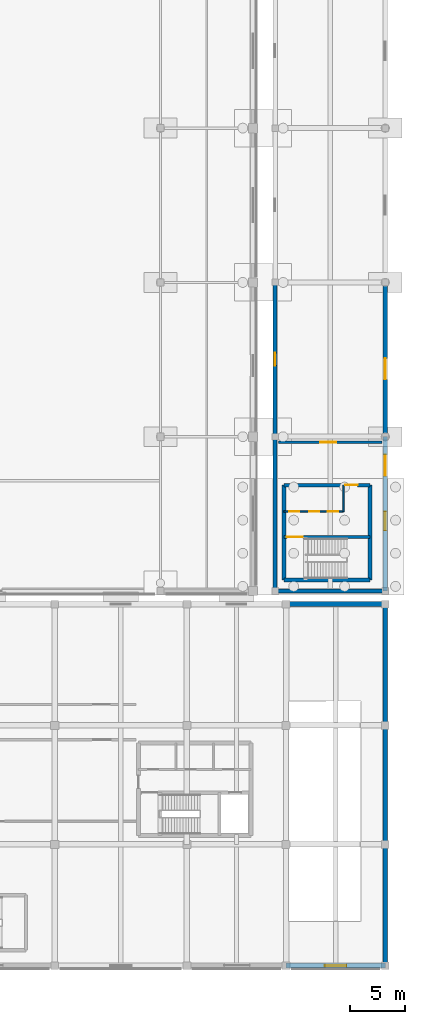
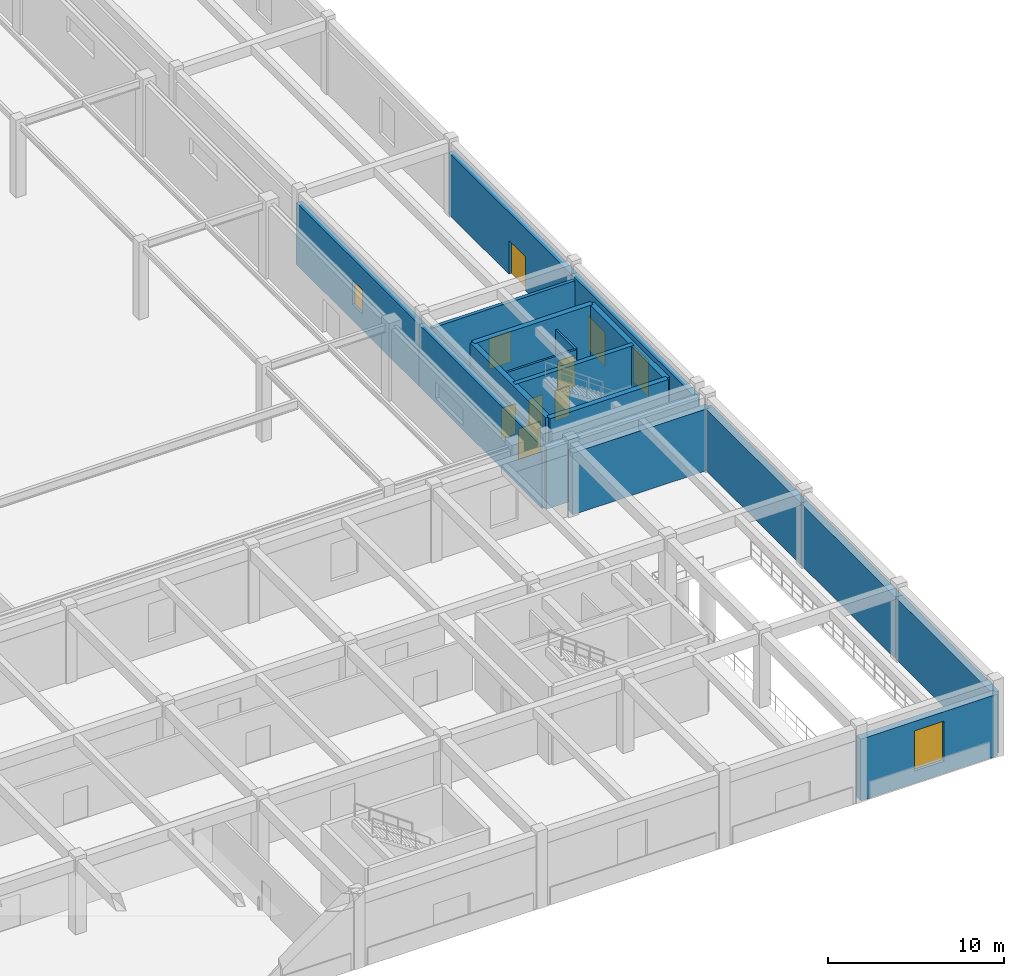
# One storey, part 33 of 53: 18 walls, 8 doors, 3 windows, 11 openings.
"""IFC4 building model written with IfcOpenShell, lengths in metres."""

from ifc_helpers import new_model, si_unit, derived_unit, direction, frame, frame_2d, origin, place, context, subcontext, project, spatial, rectangle, extrude, material, layer, layer_set, type_object, element, fill, save


model = new_model("IFC4")

# Units and contexts
model_context = context("Model", 3, precision=1e-05, world=origin(), true_north=direction((0.0, 1.0)))
body_context = subcontext(model_context, "Body", "Model", "MODEL_VIEW")
ifc_project = project(units=[si_unit("LENGTHUNIT", "METRE"), si_unit("AREAUNIT", "SQUARE_METRE"), si_unit("VOLUMEUNIT", "CUBIC_METRE"), si_unit("PLANEANGLEUNIT", "RADIAN"), si_unit("MASSUNIT", "GRAM", prefix="KILO"), derived_unit("THERMALTRANSMITTANCEUNIT", [(si_unit("POWERUNIT", "WATT"), 1), (si_unit("LENGTHUNIT", "METRE"), -2), (si_unit("THERMODYNAMICTEMPERATUREUNIT", "KELVIN"), -1)])], contexts=[model_context])

# Site, building, storey
site_placement = place(None, origin())
site = spatial("IfcSite", under=ifc_project, at=site_placement, CompositionType="ELEMENT")
building_placement = place(site_placement, origin())
building = spatial("IfcBuilding", under=site, at=building_placement, Name="Almenara Railside Exhibition Hall", CompositionType="ELEMENT")
storey_placement = place(building_placement, origin())
storey = spatial("IfcBuildingStorey", under=building, at=storey_placement, Name="L00", CompositionType="ELEMENT", Elevation=0.0)

# Wall
ifc_material_1 = material(Name="Concrete C35/45", Category="concrete")
ifc_layer_1 = layer(ifc_material_1, 0.35009765625, Name="Concrete C35/45")
ifc_layer_set_1 = layer_set([ifc_layer_1], Name="Concrete C35/45")
wall_type_1 = type_object("IfcWallType", Name="Core Coupled Shear Wall 350mm C35/45", PredefinedType="SHEAR", material=ifc_layer_set_1)
wall_1_placement = place(storey_placement, frame((194.800048828125, 35.0, 0.0), z_axis=(0.0, 0.0, 1.0), x_axis=(1.0, 0.0, 0.0)))
element("IfcWall", 1, at=wall_1_placement, inside=storey, type_object=wall_type_1, Name="Interior wall 0244", PredefinedType="SHEAR", context=body_context, shape_type="SweptSolid", body=[
    extrude(rectangle(XDim=7.800048828125, YDim=0.35009765625, at=frame_2d((3.89990234375, 0.0))), origin(), (0.0, 0.0, 1.0), 5.39990234375),
])

# Wall, opening, door
wall_2_placement = place(storey_placement, frame((202.60009765625, 43.60009765625, 0.0), z_axis=(0.0, 0.0, 1.0), x_axis=(-1.0, 0.0, 0.0)))
wall_2 = element("IfcWall", 2, at=wall_2_placement, inside=storey, type_object=wall_type_1, Name="Interior wall 0245", PredefinedType="SHEAR", context=body_context, shape_type="SweptSolid", body=[
    extrude(rectangle(XDim=7.800048828125, YDim=0.35009765625, at=frame_2d((3.89990234375, 0.0))), origin(), (0.0, 0.0, 1.0), 5.39990234375),
])
opening_1_placement = place(wall_2_placement, frame((1.10009765625, 0.0, 0.0)))
opening_1 = element("IfcOpeningElement", 3, at=opening_1_placement, cuts=wall_2, Name="Opening FD-115", PredefinedType="OPENING", context=body_context, shape_type="SweptSolid", body=[
    extrude(rectangle(XDim=1.14990234375, YDim=2.14990234375, at=frame_2d((0.574951171875, 1.074951171875))), frame((0.0, 0.18505859375, 0.0), z_axis=(0.0, -1.0, 0.0), x_axis=(1.0, 0.0, 0.0)), (0.0, 0.0, 1.0), 0.3701171875),
])
ifc_material_2 = material(Name="Fire-rated iroko timber door", Category="wood")
door_type_1 = type_object("IfcDoorType", Name="Core Lobby Fire Door 1150x2150 EI60", OperationType="NOTDEFINED", PredefinedType="DOOR", material=ifc_material_2)
door_1_placement = place(opening_1_placement, frame((1.14990234375, 0.0, 0.0), z_axis=(0.0, 0.0, 1.0), x_axis=(-1.0, 0.0, 0.0)))
door_1 = element("IfcDoor", 4, at=door_1_placement, inside=storey, type_object=door_type_1, Name="Interior door FD-115-163", OperationType="SINGLE_SWING_LEFT", OverallHeight=2.14990234375, OverallWidth=1.14990234375, PredefinedType="DOOR", context=body_context, shape_type="SweptSolid", body=[
    extrude(rectangle(XDim=1.14990234375, YDim=2.14990234375, at=frame_2d((0.574951171875, 1.074951171875))), frame((0.0, 0.02490234375, 0.0), z_axis=(0.0, -1.0, 0.0), x_axis=(1.0, 0.0, 0.0)), (0.0, 0.0, 1.0), 0.050048828125),
])
fill(opening_1, door_1)

# Walls
for number, where, z_axis, x_axis, name in (
    (5, (194.800048828125, 43.60009765625, 0.0), (0.0, 0.0, 1.0), (0.0, -1.0, 0.0), "Interior wall 0246"),
    (6, (202.60009765625, 35.0, 0.0), (0.0, 0.0, 1.0), (0.0, 1.0, 0.0), "Interior wall 0247"),
):
    element("IfcWall", number, at=place(storey_placement, frame(where, z_axis=z_axis, x_axis=x_axis)), inside=storey, type_object=wall_type_1, Name=name, PredefinedType="SHEAR", context=body_context, shape_type="SweptSolid", body=[
        extrude(rectangle(XDim=8.60009765625, YDim=0.35009765625, at=frame_2d((4.300048828125, 0.0))), origin(), (0.0, 0.0, 1.0), 5.39990234375),
    ])

# Wall, openings, door, window
ifc_material_3 = material(Name="Ochre-white lime-rendered masonry over Concrete C35/45", Category="masonry")
ifc_layer_2 = layer(ifc_material_3, 0.385009765625, Name="Ochre-white lime-rendered masonry over Concrete C35/45")
ifc_layer_set_2 = layer_set([ifc_layer_2], Name="Ochre-white lime-rendered masonry over Concrete C35/45")
wall_type_2 = type_object("IfcWallType", Name="Exterior Arcade Spandrel Wall 385mm C35/45", PredefinedType="SOLIDWALL", material=ifc_layer_set_2)
wall_3_placement = place(storey_placement, frame((204.0, 34.0, 0.0), z_axis=(0.0, 0.0, 1.0), x_axis=(0.0, 1.0, 0.0)))
wall_3 = element("IfcWall", 7, at=wall_3_placement, inside=storey, type_object=wall_type_2, Name="Exterior wall 0194", PredefinedType="SOLIDWALL", context=body_context, shape_type="SweptSolid", body=[
    extrude(rectangle(XDim=14.0, YDim=0.385009765625, at=frame_2d((7.0, 0.0))), origin(), (0.0, 0.0, 1.0), 4.300048828125),
])
opening_2_placement = place(wall_3_placement, frame((5.5, 0.0, 0.89990234375)))
opening_2 = element("IfcOpeningElement", 8, at=opening_2_placement, cuts=wall_3, Name="Opening W-06", PredefinedType="OPENING", context=body_context, shape_type="SweptSolid", body=[
    extrude(rectangle(XDim=1.699951171875, YDim=2.5, at=frame_2d((0.85009765625, 1.25))), frame((0.0, 0.202392578125, 0.0), z_axis=(0.0, -1.0, 0.0), x_axis=(1.0, 0.0, 0.0)), (0.0, 0.0, 1.0), 0.405029296875),
])
opening_3_placement = place(wall_3_placement, frame((10.449951171875, 0.0, 0.0)))
opening_3 = element("IfcOpeningElement", 9, at=opening_3_placement, cuts=wall_3, Name="Opening ED-32", PredefinedType="OPENING", context=body_context, shape_type="SweptSolid", body=[
    extrude(rectangle(XDim=1.89990234375, YDim=2.35009765625, at=frame_2d((0.949951171875, 1.175048828125))), frame((0.0, 0.202392578125, 0.0), z_axis=(0.0, -1.0, 0.0), x_axis=(1.0, 0.0, 0.0)), (0.0, 0.0, 1.0), 0.405029296875),
])
ifc_material_4 = material(Name="Bronze-anodised glazed escape door")
door_type_2 = type_object("IfcDoorType", Name="Congress Double Escape Door 1900x2350", OperationType="NOTDEFINED", PredefinedType="DOOR", material=ifc_material_4)
door_2_placement = place(opening_3_placement, frame((1.89990234375, 0.0, 0.0), z_axis=(0.0, 0.0, 1.0), x_axis=(-1.0, 0.0, 0.0)))
door_2 = element("IfcDoor", 10, at=door_2_placement, inside=storey, type_object=door_type_2, Name="Exterior door ED-32", OperationType="DOUBLE_DOOR_SINGLE_SWING", OverallHeight=2.35009765625, OverallWidth=1.89990234375, PredefinedType="DOOR", context=body_context, shape_type="SweptSolid", body=[
    extrude(rectangle(XDim=1.89990234375, YDim=2.35009765625, at=frame_2d((0.949951171875, 1.175048828125))), frame((0.0, 0.02490234375, 0.0), z_axis=(0.0, -1.0, 0.0), x_axis=(1.0, 0.0, 0.0)), (0.0, 0.0, 1.0), 0.050048828125),
])
fill(opening_3, door_2)
ifc_material_5 = material(Name="Bronze-anodised aluminium and low-E double glazing", Category="aluminium")
window_type_1 = type_object("IfcWindowType", Name="East Gallery Arched Window 1700x2500", PartitioningType="DOUBLE_PANEL_VERTICAL", PredefinedType="WINDOW", material=ifc_material_5)
window_1_placement = place(opening_2_placement, origin())
window_1 = element("IfcWindow", 11, at=window_1_placement, inside=storey, type_object=window_type_1, Name="Window 0053", OverallHeight=2.5, OverallWidth=1.699951171875, PartitioningType="DOUBLE_PANEL_VERTICAL", PredefinedType="WINDOW", context=body_context, shape_type="SweptSolid", body=[
    extrude(rectangle(XDim=1.699951171875, YDim=2.5, at=frame_2d((0.85009765625, 1.25))), frame((0.0, 0.030029296875, 0.0), z_axis=(0.0, -1.0, 0.0), x_axis=(1.0, 0.0, 0.0)), (0.0, 0.0, 1.0), 0.06005859375),
])
fill(opening_2, window_1)

# Wall
wall_4_placement = place(storey_placement, frame((194.0, 48.0, 0.0), z_axis=(0.0, 0.0, 1.0), x_axis=(0.0, -1.0, 0.0)))
element("IfcWall", 12, at=wall_4_placement, inside=storey, type_object=wall_type_2, Name="Exterior wall 0195", PredefinedType="SOLIDWALL", context=body_context, shape_type="SweptSolid", body=[
    extrude(rectangle(XDim=14.0, YDim=0.385009765625, at=frame_2d((7.0, 0.0))), origin(), (0.0, 0.0, 1.0), 4.300048828125),
])

# Wall, opening, door
wall_5_placement = place(storey_placement, frame((204.0, 48.0, 0.0), z_axis=(0.0, 0.0, 1.0), x_axis=(0.0, 1.0, 0.0)))
wall_5 = element("IfcWall", 13, at=wall_5_placement, inside=storey, type_object=wall_type_2, Name="Exterior wall 0196", PredefinedType="SOLIDWALL", context=body_context, shape_type="SweptSolid", body=[
    extrude(rectangle(XDim=14.0, YDim=0.385009765625, at=frame_2d((7.0, 0.0))), origin(), (0.0, 0.0, 1.0), 4.300048828125),
])
opening_4_placement = place(wall_5_placement, frame((5.199951171875, 0.0, 0.0)))
opening_4 = element("IfcOpeningElement", 14, at=opening_4_placement, cuts=wall_5, Name="Opening ED-28", PredefinedType="OPENING", context=body_context, shape_type="SweptSolid", body=[
    extrude(rectangle(XDim=1.89990234375, YDim=2.35009765625, at=frame_2d((0.949951171875, 1.175048828125))), frame((0.0, 0.202392578125, 0.0), z_axis=(0.0, -1.0, 0.0), x_axis=(1.0, 0.0, 0.0)), (0.0, 0.0, 1.0), 0.405029296875),
])
door_3_placement = place(opening_4_placement, frame((1.89990234375, 0.0, 0.0), z_axis=(0.0, 0.0, 1.0), x_axis=(-1.0, 0.0, 0.0)))
door_3 = element("IfcDoor", 15, at=door_3_placement, inside=storey, type_object=door_type_2, Name="Exterior door ED-28", OperationType="DOUBLE_DOOR_SINGLE_SWING", OverallHeight=2.35009765625, OverallWidth=1.89990234375, PredefinedType="DOOR", context=body_context, shape_type="SweptSolid", body=[
    extrude(rectangle(XDim=1.89990234375, YDim=2.35009765625, at=frame_2d((0.949951171875, 1.175048828125))), frame((0.0, 0.02490234375, 0.0), z_axis=(0.0, -1.0, 0.0), x_axis=(1.0, 0.0, 0.0)), (0.0, 0.0, 1.0), 0.050048828125),
])
fill(opening_4, door_3)

# Wall, opening, window
wall_6_placement = place(storey_placement, frame((194.0, 62.0, 0.0), z_axis=(0.0, 0.0, 1.0), x_axis=(0.0, -1.0, 0.0)))
wall_6 = element("IfcWall", 16, at=wall_6_placement, inside=storey, type_object=wall_type_2, Name="Exterior wall 0197", PredefinedType="SOLIDWALL", context=body_context, shape_type="SweptSolid", body=[
    extrude(rectangle(XDim=14.0, YDim=0.385009765625, at=frame_2d((7.0, 0.0))), origin(), (0.0, 0.0, 1.0), 4.300048828125),
])
opening_5_placement = place(wall_6_placement, frame((6.39990234375, 0.0, 1.10009765625)))
opening_5 = element("IfcOpeningElement", 17, at=opening_5_placement, cuts=wall_6, Name="Opening W-11", PredefinedType="OPENING", context=body_context, shape_type="SweptSolid", body=[
    extrude(rectangle(XDim=1.14990234375, YDim=1.699951171875, at=frame_2d((0.574951171875, 0.85009765625))), frame((0.0, 0.202392578125, 0.0), z_axis=(0.0, -1.0, 0.0), x_axis=(1.0, 0.0, 0.0)), (0.0, 0.0, 1.0), 0.405029296875),
])
window_type_2 = type_object("IfcWindowType", Name="South Gallery Punched Window 1150x1700", PartitioningType="SINGLE_PANEL", PredefinedType="WINDOW", material=ifc_material_5)
window_2_placement = place(opening_5_placement, origin())
window_2 = element("IfcWindow", 18, at=window_2_placement, inside=storey, type_object=window_type_2, Name="Window 0054", OverallHeight=1.699951171875, OverallWidth=1.14990234375, PartitioningType="SINGLE_PANEL", PredefinedType="WINDOW", context=body_context, shape_type="SweptSolid", body=[
    extrude(rectangle(XDim=1.14990234375, YDim=1.699951171875, at=frame_2d((0.574951171875, 0.85009765625))), frame((0.0, 0.030029296875, 0.0), z_axis=(0.0, -1.0, 0.0), x_axis=(1.0, 0.0, 0.0)), (0.0, 0.0, 1.0), 0.06005859375),
])
fill(opening_5, window_2)

# Wall
wall_7_placement = place(storey_placement, frame((194.0, 34.0, 0.0), z_axis=(0.0, 0.0, 1.0), x_axis=(1.0, 0.0, 0.0)))
element("IfcWall", 19, at=wall_7_placement, inside=storey, type_object=wall_type_2, Name="Exterior wall 0206", PredefinedType="SOLIDWALL", context=body_context, shape_type="SweptSolid", body=[
    extrude(rectangle(XDim=10.0, YDim=0.385009765625, at=frame_2d((5.0, 0.0))), origin(), (0.0, 0.0, 1.0), 4.300048828125),
])

# Wall, opening, window
ifc_layer_3 = layer(ifc_material_3, 0.449951171875, Name="Ochre-white lime-rendered masonry over Concrete C35/45")
ifc_layer_set_3 = layer_set([ifc_layer_3], Name="Ochre-white lime-rendered masonry over Concrete C35/45")
wall_type_3 = type_object("IfcWallType", Name="Exterior Civic Stucco Wall 450mm C35/45", PredefinedType="SOLIDWALL", material=ifc_layer_set_3)
wall_8_placement = place(storey_placement, frame((195.0, 0.0, 0.0), z_axis=(0.0, 0.0, 1.0), x_axis=(1.0, 0.0, 0.0)))
wall_8 = element("IfcWall", 20, at=wall_8_placement, inside=storey, type_object=wall_type_3, Name="Exterior wall 0186", PredefinedType="SOLIDWALL", context=body_context, shape_type="SweptSolid", body=[
    extrude(rectangle(XDim=9.0, YDim=0.449951171875, at=frame_2d((4.5, 0.0))), origin(), (0.0, 0.0, 1.0), 4.300048828125),
])
opening_6_placement = place(wall_8_placement, frame((3.52490234375, 0.0, 0.85009765625)))
opening_6 = element("IfcOpeningElement", 21, at=opening_6_placement, cuts=wall_8, Name="Opening W-04", PredefinedType="OPENING", context=body_context, shape_type="SweptSolid", body=[
    extrude(rectangle(XDim=1.949951171875, YDim=2.800048828125, at=frame_2d((0.97509765625, 1.39990234375))), frame((0.0, 0.23486328125, 0.0), z_axis=(0.0, -1.0, 0.0), x_axis=(1.0, 0.0, 0.0)), (0.0, 0.0, 1.0), 0.469970703125),
])
window_type_3 = type_object("IfcWindowType", Name="Community Forum Window 1950x2800", PartitioningType="DOUBLE_PANEL_VERTICAL", PredefinedType="WINDOW", material=ifc_material_5)
window_3_placement = place(opening_6_placement, origin())
window_3 = element("IfcWindow", 22, at=window_3_placement, inside=storey, type_object=window_type_3, Name="Window 0052", OverallHeight=2.800048828125, OverallWidth=1.949951171875, PartitioningType="DOUBLE_PANEL_VERTICAL", PredefinedType="WINDOW", context=body_context, shape_type="SweptSolid", body=[
    extrude(rectangle(XDim=1.949951171875, YDim=2.800048828125, at=frame_2d((0.97509765625, 1.39990234375))), frame((0.0, 0.030029296875, 0.0), z_axis=(0.0, -1.0, 0.0), x_axis=(1.0, 0.0, 0.0)), (0.0, 0.0, 1.0), 0.06005859375),
])
fill(opening_6, window_3)

# Walls
wall_9_placement = place(storey_placement, frame((204.0, 32.800048828125, 0.0), z_axis=(0.0, 0.0, 1.0), x_axis=(-1.0, 0.0, 0.0)))
element("IfcWall", 23, at=wall_9_placement, inside=storey, type_object=wall_type_3, Name="Exterior wall 0187", PredefinedType="SOLIDWALL", context=body_context, shape_type="SweptSolid", body=[
    extrude(rectangle(XDim=9.0, YDim=0.449951171875, at=frame_2d((4.5, 0.0))), origin(), (0.0, 0.0, 1.0), 4.300048828125),
])
wall_10_placement = place(storey_placement, frame((204.0, 0.0, 0.0), z_axis=(0.0, 0.0, 1.0), x_axis=(0.0, 1.0, 0.0)))
element("IfcWall", 24, at=wall_10_placement, inside=storey, type_object=wall_type_3, Name="Exterior wall 0188", PredefinedType="SOLIDWALL", context=body_context, shape_type="SweptSolid", body=[
    extrude(rectangle(XDim=11.0, YDim=0.449951171875, at=frame_2d((5.5, 0.0))), origin(), (0.0, 0.0, 1.0), 4.300048828125),
])
wall_11_placement = place(storey_placement, frame((204.0, 11.0, 0.0), z_axis=(0.0, 0.0, 1.0), x_axis=(0.0, 1.0, 0.0)))
element("IfcWall", 25, at=wall_11_placement, inside=storey, type_object=wall_type_3, Name="Exterior wall 0190", PredefinedType="SOLIDWALL", context=body_context, shape_type="SweptSolid", body=[
    extrude(rectangle(XDim=10.800048828125, YDim=0.449951171875, at=frame_2d((5.39990234375, 0.0))), origin(), (0.0, 0.0, 1.0), 4.300048828125),
])
wall_12_placement = place(storey_placement, frame((204.0, 21.800048828125, 0.0), z_axis=(0.0, 0.0, 1.0), x_axis=(0.0, 1.0, 0.0)))
element("IfcWall", 26, at=wall_12_placement, inside=storey, type_object=wall_type_3, Name="Exterior wall 0192", PredefinedType="SOLIDWALL", context=body_context, shape_type="SweptSolid", body=[
    extrude(rectangle(XDim=11.0, YDim=0.449951171875, at=frame_2d((5.5, 0.0))), origin(), (0.0, 0.0, 1.0), 4.300048828125),
])

# Wall, opening, door
ifc_material_6 = material(Name="Insulated masonry over Concrete C35/45", Category="masonry")
ifc_layer_4 = layer(ifc_material_6, 0.219970703125, Name="Insulated masonry over Concrete C35/45")
ifc_layer_set_4 = layer_set([ifc_layer_4], Name="Insulated masonry over Concrete C35/45")
wall_type_4 = type_object("IfcWallType", Name="Occupancy Separating Fire Wall 220mm", PredefinedType="SOLIDWALL", material=ifc_layer_set_4)
wall_13_placement = place(storey_placement, frame((194.300048828125, 47.5, 0.0), z_axis=(0.0, 0.0, 1.0), x_axis=(1.0, 0.0, 0.0)))
wall_13 = element("IfcWall", 27, at=wall_13_placement, inside=storey, type_object=wall_type_4, Name="Interior wall 0275", PredefinedType="SOLIDWALL", context=body_context, shape_type="SweptSolid", body=[
    extrude(rectangle(XDim=9.39990234375, YDim=0.219970703125, at=frame_2d((4.699951171875, 0.0))), origin(), (0.0, 0.0, 1.0), 4.25),
])
opening_7_placement = place(wall_13_placement, frame((3.800048828125, 0.0, 0.0)))
opening_7 = element("IfcOpeningElement", 28, at=opening_7_placement, cuts=wall_13, Name="Opening FD-145", PredefinedType="OPENING", context=body_context, shape_type="SweptSolid", body=[
    extrude(rectangle(XDim=1.449951171875, YDim=2.14990234375, at=frame_2d((0.72509765625, 1.074951171875))), frame((0.0, 0.119873046875, 0.0), z_axis=(0.0, -1.0, 0.0), x_axis=(1.0, 0.0, 0.0)), (0.0, 0.0, 1.0), 0.239990234375),
])
ifc_material_7 = material(Name="Steel-framed fire-rated timber door", Category="steel")
door_type_3 = type_object("IfcDoorType", Name="Fire Escape Stair Door 1450x2150 EI60", OperationType="NOTDEFINED", PredefinedType="DOOR", material=ifc_material_7)
door_4_placement = place(opening_7_placement, origin())
door_4 = element("IfcDoor", 29, at=door_4_placement, inside=storey, type_object=door_type_3, Name="Interior door FD-145-183", OperationType="DOUBLE_DOOR_SINGLE_SWING", OverallHeight=2.14990234375, OverallWidth=1.449951171875, PredefinedType="DOOR", context=body_context, shape_type="SweptSolid", body=[
    extrude(rectangle(XDim=1.449951171875, YDim=2.14990234375, at=frame_2d((0.72509765625, 1.074951171875))), frame((0.0, 0.02490234375, 0.0), z_axis=(0.0, -1.0, 0.0), x_axis=(1.0, 0.0, 0.0)), (0.0, 0.0, 1.0), 0.050048828125),
])
fill(opening_7, door_4)

# Wall, openings, doors
ifc_material_8 = material(Name="Moisture-resistant tiled masonry partition", Category="masonry")
ifc_layer_5 = layer(ifc_material_8, 0.139892578125, Name="Moisture-resistant tiled masonry partition")
ifc_layer_set_5 = layer_set([ifc_layer_5], Name="Moisture-resistant tiled masonry partition")
wall_type_5 = type_object("IfcWallType", Name="Sanitary Wet-Wall Partition 140mm", PredefinedType="PARTITIONING", material=ifc_layer_set_5)
wall_14_placement = place(storey_placement, frame((194.800048828125, 41.199951171875, 0.0), z_axis=(0.0, 0.0, 1.0), x_axis=(1.0, 0.0, 0.0)))
wall_14 = element("IfcWall", 30, at=wall_14_placement, inside=storey, type_object=wall_type_5, Name="Interior wall 0249", PredefinedType="PARTITIONING", context=body_context, shape_type="SweptSolid", body=[
    extrude(rectangle(XDim=5.39990234375, YDim=0.139892578125, at=frame_2d((2.699951171875, 0.0))), origin(), (0.0, 0.0, 1.0), 4.5),
])
opening_8_placement = place(wall_14_placement, frame((0.5, 0.0, 0.0)))
opening_8 = element("IfcOpeningElement", 31, at=opening_8_placement, cuts=wall_14, Name="Opening ID-09", PredefinedType="OPENING", context=body_context, shape_type="SweptSolid", body=[
    extrude(rectangle(XDim=0.89990234375, YDim=2.10009765625, at=frame_2d((0.449951171875, 1.050048828125))), frame((0.0, 0.079833984375, 0.0), z_axis=(0.0, -1.0, 0.0), x_axis=(1.0, 0.0, 0.0)), (0.0, 0.0, 1.0), 0.159912109375),
])
opening_9_placement = place(wall_14_placement, frame((2.300048828125, 0.0, 0.0)))
opening_9 = element("IfcOpeningElement", 32, at=opening_9_placement, cuts=wall_14, Name="Opening ID-09", PredefinedType="OPENING", context=body_context, shape_type="SweptSolid", body=[
    extrude(rectangle(XDim=0.89990234375, YDim=2.10009765625, at=frame_2d((0.449951171875, 1.050048828125))), frame((0.0, 0.079833984375, 0.0), z_axis=(0.0, -1.0, 0.0), x_axis=(1.0, 0.0, 0.0)), (0.0, 0.0, 1.0), 0.159912109375),
])
opening_10_placement = place(wall_14_placement, frame((4.0, 0.0, 0.0)))
opening_10 = element("IfcOpeningElement", 33, at=opening_10_placement, cuts=wall_14, Name="Opening ID-095", PredefinedType="OPENING", context=body_context, shape_type="SweptSolid", body=[
    extrude(rectangle(XDim=0.949951171875, YDim=2.10009765625, at=frame_2d((0.47509765625, 1.050048828125))), frame((0.0, 0.079833984375, 0.0), z_axis=(0.0, -1.0, 0.0), x_axis=(1.0, 0.0, 0.0)), (0.0, 0.0, 1.0), 0.159912109375),
])
ifc_material_9 = material(Name="Moisture-resistant hardwood door", Category="wood")
door_type_4 = type_object("IfcDoorType", Name="Accessible Toilet Door 950x2100", OperationType="NOTDEFINED", PredefinedType="DOOR", material=ifc_material_9)
door_5_placement = place(opening_10_placement, origin())
door_5 = element("IfcDoor", 34, at=door_5_placement, inside=storey, type_object=door_type_4, Name="Interior door ID-095-167", OperationType="SINGLE_SWING_RIGHT", OverallHeight=2.10009765625, OverallWidth=0.949951171875, PredefinedType="DOOR", context=body_context, shape_type="SweptSolid", body=[
    extrude(rectangle(XDim=0.949951171875, YDim=2.10009765625, at=frame_2d((0.47509765625, 1.050048828125))), frame((0.0, 0.02490234375, 0.0), z_axis=(0.0, -1.0, 0.0), x_axis=(1.0, 0.0, 0.0)), (0.0, 0.0, 1.0), 0.050048828125),
])
fill(opening_10, door_5)
door_type_5 = type_object("IfcDoorType", Name="Sanitary Lobby Single Door 900x2100", OperationType="NOTDEFINED", PredefinedType="DOOR", material=ifc_material_9)
door_6_placement = place(opening_8_placement, origin())
door_6 = element("IfcDoor", 35, at=door_6_placement, inside=storey, type_object=door_type_5, Name="Interior door ID-09-165", OperationType="SINGLE_SWING_RIGHT", OverallHeight=2.10009765625, OverallWidth=0.89990234375, PredefinedType="DOOR", context=body_context, shape_type="SweptSolid", body=[
    extrude(rectangle(XDim=0.89990234375, YDim=2.10009765625, at=frame_2d((0.449951171875, 1.050048828125))), frame((0.0, 0.02490234375, 0.0), z_axis=(0.0, -1.0, 0.0), x_axis=(1.0, 0.0, 0.0)), (0.0, 0.0, 1.0), 0.050048828125),
])
fill(opening_8, door_6)
door_7_placement = place(opening_9_placement, origin())
door_7 = element("IfcDoor", 36, at=door_7_placement, inside=storey, type_object=door_type_5, Name="Interior door ID-09-166", OperationType="SINGLE_SWING_LEFT", OverallHeight=2.10009765625, OverallWidth=0.89990234375, PredefinedType="DOOR", context=body_context, shape_type="SweptSolid", body=[
    extrude(rectangle(XDim=0.89990234375, YDim=2.10009765625, at=frame_2d((0.449951171875, 1.050048828125))), frame((0.0, 0.02490234375, 0.0), z_axis=(0.0, -1.0, 0.0), x_axis=(1.0, 0.0, 0.0)), (0.0, 0.0, 1.0), 0.050048828125),
])
fill(opening_9, door_7)

# Wall
wall_15_placement = place(storey_placement, frame((200.199951171875, 41.199951171875, 0.0), z_axis=(0.0, 0.0, 1.0), x_axis=(0.0, 1.0, 0.0)))
element("IfcWall", 37, at=wall_15_placement, inside=storey, type_object=wall_type_5, Name="Interior wall 0250", PredefinedType="PARTITIONING", context=body_context, shape_type="SweptSolid", body=[
    extrude(rectangle(XDim=2.400146484375, YDim=0.139892578125, at=frame_2d((1.2001953125, 0.0))), origin(), (0.0, 0.0, 1.0), 4.5),
])

# Wall, opening, door
ifc_layer_6 = layer(ifc_material_1, 0.300048828125, Name="Concrete C35/45")
ifc_layer_set_6 = layer_set([ifc_layer_6], Name="Concrete C35/45")
wall_type_6 = type_object("IfcWallType", Name="Stair and Lift Shaft Wall 300mm C35/45", PredefinedType="SHEAR", material=ifc_layer_set_6)
wall_16_placement = place(storey_placement, frame((194.800048828125, 38.89990234375, 0.0), z_axis=(0.0, 0.0, 1.0), x_axis=(1.0, 0.0, 0.0)))
wall_16 = element("IfcWall", 38, at=wall_16_placement, inside=storey, type_object=wall_type_6, Name="Interior wall 0248", PredefinedType="SHEAR", context=body_context, shape_type="SweptSolid", body=[
    extrude(rectangle(XDim=7.800048828125, YDim=0.300048828125, at=frame_2d((3.89990234375, 0.0))), origin(), (0.0, 0.0, 1.0), 5.39990234375),
])
opening_11_placement = place(wall_16_placement, frame((0.280029296875, 0.0, 0.0)))
opening_11 = element("IfcOpeningElement", 39, at=opening_11_placement, cuts=wall_16, Name="Opening FD-145", PredefinedType="OPENING", context=body_context, shape_type="SweptSolid", body=[
    extrude(rectangle(XDim=1.449951171875, YDim=2.14990234375, at=frame_2d((0.72509765625, 1.074951171875))), frame((0.0, 0.159912109375, 0.0), z_axis=(0.0, -1.0, 0.0), x_axis=(1.0, 0.0, 0.0)), (0.0, 0.0, 1.0), 0.320068359375),
])
door_8_placement = place(opening_11_placement, origin())
door_8 = element("IfcDoor", 40, at=door_8_placement, inside=storey, type_object=door_type_3, Name="Interior door FD-145-164", OperationType="DOUBLE_DOOR_SINGLE_SWING", OverallHeight=2.14990234375, OverallWidth=1.449951171875, PredefinedType="DOOR", context=body_context, shape_type="SweptSolid", body=[
    extrude(rectangle(XDim=1.449951171875, YDim=2.14990234375, at=frame_2d((0.72509765625, 1.074951171875))), frame((0.0, 0.02490234375, 0.0), z_axis=(0.0, -1.0, 0.0), x_axis=(1.0, 0.0, 0.0)), (0.0, 0.0, 1.0), 0.050048828125),
])
fill(opening_11, door_8)

save(model, "model.ifc")
